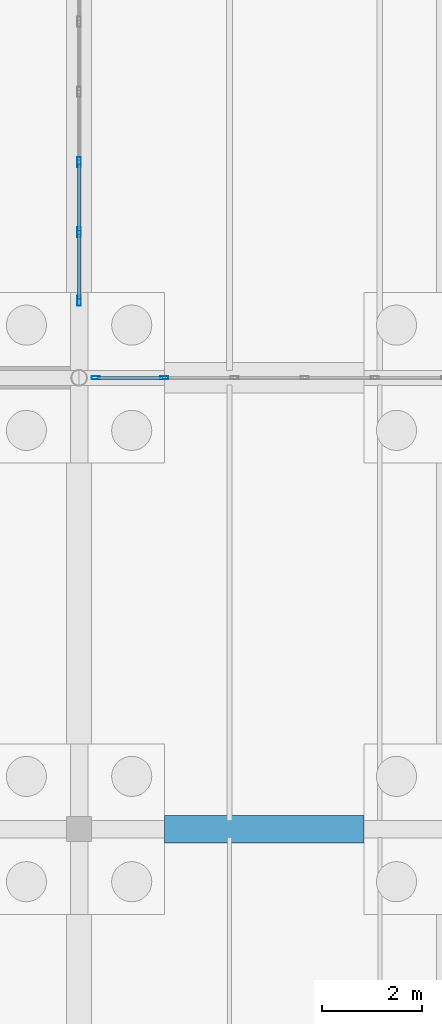
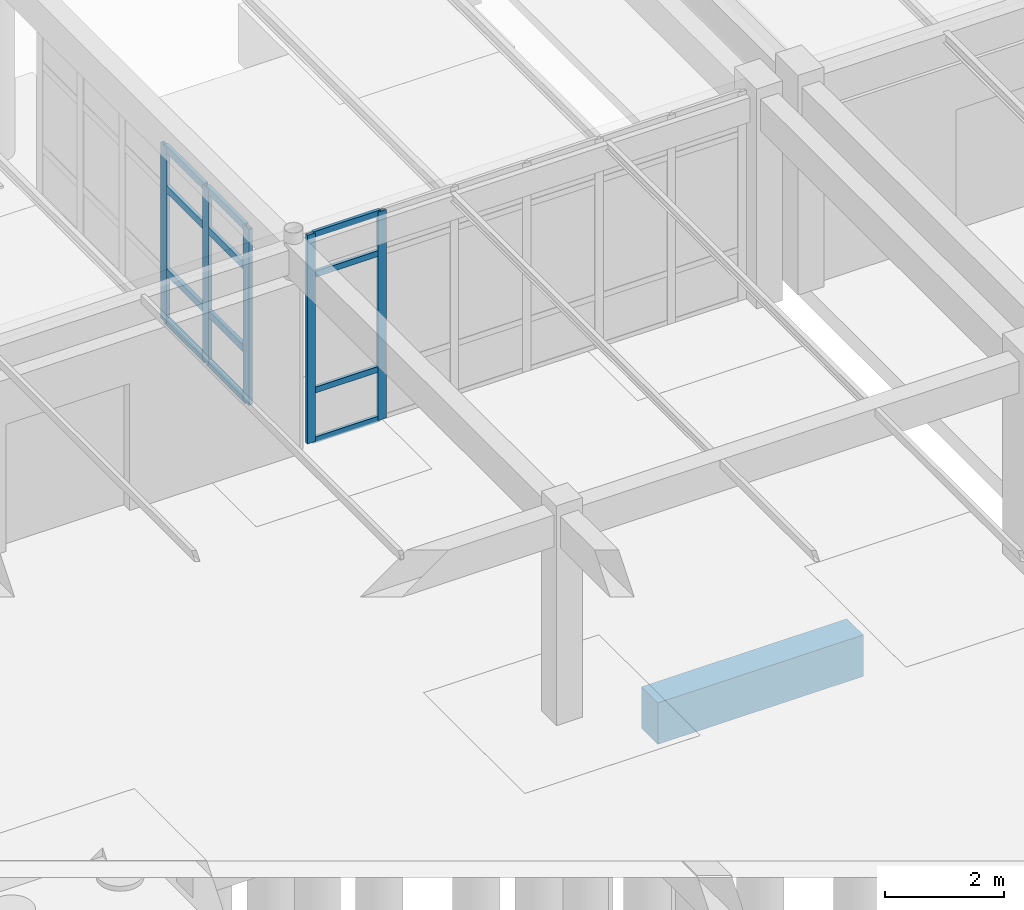
# One storey, part 73 of 186: 17 members, 1 beam, 2 elements without a shape of their own.
"""IFC4 building model written with IfcOpenShell, lengths in metres."""

from ifc_helpers import new_model, si_unit, direction, frame, origin, origin_2d, place, context, subcontext, project, spatial, rectangle, hollow_rectangle, extrude, material, layer, layer_set, material_profile, profile_set, type_object, element, aggregate, save


model = new_model("IFC4")

# Units and contexts
model_context = context("Model", 3, precision=1e-05, world=origin(), true_north=direction((0.0, 1.0)))
body_context = subcontext(model_context, "Body", "Model", "MODEL_VIEW")
ifc_project = project(units=[si_unit("LENGTHUNIT", "METRE"), si_unit("AREAUNIT", "SQUARE_METRE"), si_unit("VOLUMEUNIT", "CUBIC_METRE"), si_unit("PLANEANGLEUNIT", "RADIAN"), si_unit("MASSUNIT", "GRAM", prefix="KILO")], contexts=[model_context])

# Site, building, storey
site_placement = place(None, origin())
site = spatial("IfcSite", under=ifc_project, at=site_placement, CompositionType="ELEMENT")
building_placement = place(site_placement, origin())
building = spatial("IfcBuilding", under=site, at=building_placement, Name="Ornek Quay Market", CompositionType="ELEMENT")
storey_placement = place(building_placement, origin())
storey = spatial("IfcBuildingStorey", under=building, at=storey_placement, Name="L00", CompositionType="ELEMENT", Elevation=0.0)

# Beam
ifc_material_1 = material(Name="Concrete C35/45", Category="concrete")
ifc_material_profile_1 = material_profile(ifc_material_1, rectangle(XDim=0.550048828125, YDim=0.85009765625, at=origin_2d()), Name="RC 550x850", Category="concrete")
ifc_profile_set_1 = profile_set([ifc_material_profile_1], Name="Concrete C35/45")
beam_type = type_object("IfcBeamType", Name="BM-GB-550x850", PredefinedType="BEAM", material=ifc_profile_set_1)
beam_placement = place(storey_placement, frame((46.699951171875, 101.0, -0.625), z_axis=(1.0, 0.0, 0.0), x_axis=(0.0, 1.0, 0.0)))
element("IfcBeam", 1, at=beam_placement, inside=storey, type_object=beam_type, Name="Ground tie beam GB-041", PredefinedType="BEAM", context=body_context, shape_type="SweptSolid", body=[
    extrude(rectangle(XDim=0.550048828125, YDim=0.85009765625, at=origin_2d()), origin(), (0.0, 0.0, 1.0), 3.97998046875),
])

# Curtain wall, members
ifc_material_2 = material(Name="Anodised bronze aluminium and triple low-e glass", Category="aluminium")
ifc_layer_1 = layer(ifc_material_2, 0.179931640625, Name="Anodised bronze aluminium and triple low-e glass", Category="aluminium")
ifc_layer_set_1 = layer_set([ifc_layer_1], Name="Anodised bronze aluminium and triple low-e glass")
curtain_wall_type_1 = type_object("IfcCurtainWallType", Name="CW-CONC-MOD1500", PredefinedType="USERDEFINED", material=ifc_layer_set_1)
curtain_wall_1_placement = place(storey_placement, origin())
curtain_wall_1 = element("IfcCurtainWall", 2, at=curtain_wall_1_placement, inside=storey, type_object=curtain_wall_type_1, Name="Curtain wall CW-009", ObjectType="CURTAIN WALL", PredefinedType="USERDEFINED")
ifc_material_3 = material(Name="Anodised aluminium 6063-T6", Category="aluminium")
ifc_material_profile_2 = material_profile(ifc_material_3, hollow_rectangle(XDim=0.06005859375, YDim=0.159912109375, WallThickness=0.00390625, at=origin_2d()), Name="CW-MUL-60x160", Category="aluminium")
ifc_profile_set_2 = profile_set([ifc_material_profile_2], Name="Anodised aluminium 6063-T6")
member_type_1 = type_object("IfcMemberType", Name="CW-MUL-60x160", PredefinedType="MULLION", material=ifc_profile_set_2)
member_1_placement = place(storey_placement, frame((45.330078125, 110.0, 0.0), z_axis=(0.0, 0.0, 1.0), x_axis=(0.0, 1.0, 0.0)))
member_1 = element("IfcMember", 3, at=member_1_placement, type_object=member_type_1, Name="CW-009 mullion 1", PredefinedType="MULLION", context=body_context, shape_type="SweptSolid", body=[
    extrude(hollow_rectangle(XDim=0.06005859375, YDim=0.159912109375, WallThickness=0.00390625, at=origin_2d()), origin(), (0.0, 0.0, 1.0), 4.27001953125),
])
member_2_placement = place(storey_placement, frame((46.699951171875, 110.0, 0.0), z_axis=(0.0, 0.0, 1.0), x_axis=(0.0, 1.0, 0.0)))
member_2 = element("IfcMember", 4, at=member_2_placement, type_object=member_type_1, Name="CW-009 mullion 2", PredefinedType="MULLION", context=body_context, shape_type="SweptSolid", body=[
    extrude(hollow_rectangle(XDim=0.06005859375, YDim=0.159912109375, WallThickness=0.00390625, at=origin_2d()), origin(), (0.0, 0.0, 1.0), 4.27001953125),
])

ifc_layer_2 = layer(ifc_material_2, 0.219970703125, Name="Anodised bronze aluminium and triple low-e glass", Category="aluminium")
ifc_layer_set_2 = layer_set([ifc_layer_2], Name="Anodised bronze aluminium and triple low-e glass")
curtain_wall_type_2 = type_object("IfcCurtainWallType", Name="CW-PORCH-MOD1500", PredefinedType="USERDEFINED", material=ifc_layer_set_2)
curtain_wall_2_placement = place(storey_placement, origin())
curtain_wall_2 = element("IfcCurtainWall", 5, at=curtain_wall_2_placement, inside=storey, type_object=curtain_wall_type_2, Name="Curtain wall CW-150", ObjectType="CURTAIN WALL", PredefinedType="USERDEFINED")
ifc_material_profile_3 = material_profile(ifc_material_3, hollow_rectangle(XDim=0.070068359375, YDim=0.199951171875, WallThickness=0.0048828125, at=origin_2d()), Name="CW-MUL-70x200", Category="aluminium")
ifc_profile_set_3 = profile_set([ifc_material_profile_3], Name="Anodised aluminium 6063-T6")
member_type_2 = type_object("IfcMemberType", Name="CW-MUL-70x200", PredefinedType="MULLION", material=ifc_profile_set_3)
member_3_placement = place(storey_placement, frame((45.0, 111.534912109375, 0.0), z_axis=(0.0, 0.0, 1.0), x_axis=(-1.0, 0.0, 0.0)))
member_3 = element("IfcMember", 6, at=member_3_placement, type_object=member_type_2, Name="CW-150 mullion 1", PredefinedType="MULLION", context=body_context, shape_type="SweptSolid", body=[
    extrude(hollow_rectangle(XDim=0.070068359375, YDim=0.199951171875, WallThickness=0.0048828125, at=origin_2d()), origin(), (0.0, 0.0, 1.0), 3.60009765625),
])
member_4_placement = place(storey_placement, frame((45.0, 112.89990234375, 0.0), z_axis=(0.0, 0.0, 1.0), x_axis=(-1.0, 0.0, 0.0)))
member_4 = element("IfcMember", 7, at=member_4_placement, type_object=member_type_2, Name="CW-150 mullion 2", PredefinedType="MULLION", context=body_context, shape_type="SweptSolid", body=[
    extrude(hollow_rectangle(XDim=0.070068359375, YDim=0.199951171875, WallThickness=0.0048828125, at=origin_2d()), origin(), (0.0, 0.0, 1.0), 3.60009765625),
])
member_5_placement = place(storey_placement, frame((45.0, 114.300048828125, 0.0), z_axis=(0.0, 0.0, 1.0), x_axis=(-1.0, 0.0, 0.0)))
member_5 = element("IfcMember", 8, at=member_5_placement, type_object=member_type_2, Name="CW-150 mullion 3", PredefinedType="MULLION", context=body_context, shape_type="SweptSolid", body=[
    extrude(hollow_rectangle(XDim=0.070068359375, YDim=0.199951171875, WallThickness=0.0048828125, at=origin_2d()), origin(), (0.0, 0.0, 1.0), 3.60009765625),
])

# Member
ifc_material_profile_4 = material_profile(ifc_material_3, hollow_rectangle(XDim=0.06005859375, YDim=0.1201171875, WallThickness=0.00390625, at=origin_2d()), Name="CW-TRN-60x120", Category="aluminium")
ifc_profile_set_4 = profile_set([ifc_material_profile_4], Name="Anodised aluminium 6063-T6")
member_type_3 = type_object("IfcMemberType", Name="CW-TRN-60x120", PredefinedType="USERDEFINED", material=ifc_profile_set_4)
member_6_placement = place(storey_placement, frame((45.360107421875, 110.0, 0.030029296875), z_axis=(1.0, 0.0, 0.0), x_axis=(0.0, 1.0, 0.0)))
member_6 = element("IfcMember", 9, at=member_6_placement, type_object=member_type_3, Name="CW-009 transom 1.1", ObjectType="TRANSOM", PredefinedType="USERDEFINED", context=body_context, shape_type="SweptSolid", body=[
    extrude(hollow_rectangle(XDim=0.06005859375, YDim=0.1201171875, WallThickness=0.00390625, at=origin_2d()), origin(), (0.0, 0.0, 1.0), 1.309814453125),
])

member_7_placement = place(storey_placement, frame((45.360107421875, 110.0, 1.050048828125), z_axis=(1.0, 0.0, 0.0), x_axis=(0.0, 1.0, 0.0)))
member_7 = element("IfcMember", 10, at=member_7_placement, type_object=member_type_3, Name="CW-009 transom 1.2", ObjectType="TRANSOM", PredefinedType="USERDEFINED", context=body_context, shape_type="SweptSolid", body=[
    extrude(hollow_rectangle(XDim=0.06005859375, YDim=0.1201171875, WallThickness=0.00390625, at=origin_2d()), origin(), (0.0, 0.0, 1.0), 1.309814453125),
])

member_8_placement = place(storey_placement, frame((45.360107421875, 110.0, 3.419921875), z_axis=(1.0, 0.0, 0.0), x_axis=(0.0, 1.0, 0.0)))
member_8 = element("IfcMember", 11, at=member_8_placement, type_object=member_type_3, Name="CW-009 transom 1.3", ObjectType="TRANSOM", PredefinedType="USERDEFINED", context=body_context, shape_type="SweptSolid", body=[
    extrude(hollow_rectangle(XDim=0.06005859375, YDim=0.1201171875, WallThickness=0.00390625, at=origin_2d()), origin(), (0.0, 0.0, 1.0), 1.309814453125),
])

member_9_placement = place(storey_placement, frame((45.360107421875, 110.0, 4.239990234375), z_axis=(1.0, 0.0, 0.0), x_axis=(0.0, 1.0, 0.0)))
member_9 = element("IfcMember", 12, at=member_9_placement, type_object=member_type_3, Name="CW-009 transom 1.4", ObjectType="TRANSOM", PredefinedType="USERDEFINED", context=body_context, shape_type="SweptSolid", body=[
    extrude(hollow_rectangle(XDim=0.06005859375, YDim=0.1201171875, WallThickness=0.00390625, at=origin_2d()), origin(), (0.0, 0.0, 1.0), 1.309814453125),
])

aggregate(curtain_wall_1, [member_1, member_2, member_6, member_7, member_8, member_9])

ifc_material_profile_5 = material_profile(ifc_material_3, hollow_rectangle(XDim=0.070068359375, YDim=0.14990234375, WallThickness=0.0048828125, at=origin_2d()), Name="CW-TRN-70x150", Category="aluminium")
ifc_profile_set_5 = profile_set([ifc_material_profile_5], Name="Anodised aluminium 6063-T6")
member_type_4 = type_object("IfcMemberType", Name="CW-TRN-70x150", PredefinedType="USERDEFINED", material=ifc_profile_set_5)
member_10_placement = place(storey_placement, frame((45.0, 111.570068359375, 0.034912109375), z_axis=(0.0, 1.0, 0.0), x_axis=(-1.0, 0.0, 0.0)))
member_10 = element("IfcMember", 13, at=member_10_placement, type_object=member_type_4, Name="CW-150 transom 1.1", ObjectType="TRANSOM", PredefinedType="USERDEFINED", context=body_context, shape_type="SweptSolid", body=[
    extrude(hollow_rectangle(XDim=0.070068359375, YDim=0.14990234375, WallThickness=0.0048828125, at=origin_2d()), origin(), (0.0, 0.0, 1.0), 1.294921875),
])

member_11_placement = place(storey_placement, frame((45.0, 111.570068359375, 1.050048828125), z_axis=(0.0, 1.0, 0.0), x_axis=(-1.0, 0.0, 0.0)))
member_11 = element("IfcMember", 14, at=member_11_placement, type_object=member_type_4, Name="CW-150 transom 1.2", ObjectType="TRANSOM", PredefinedType="USERDEFINED", context=body_context, shape_type="SweptSolid", body=[
    extrude(hollow_rectangle(XDim=0.070068359375, YDim=0.14990234375, WallThickness=0.0048828125, at=origin_2d()), origin(), (0.0, 0.0, 1.0), 1.294921875),
])

member_12_placement = place(storey_placement, frame((45.0, 111.570068359375, 2.75), z_axis=(0.0, 1.0, 0.0), x_axis=(-1.0, 0.0, 0.0)))
member_12 = element("IfcMember", 15, at=member_12_placement, type_object=member_type_4, Name="CW-150 transom 1.3", ObjectType="TRANSOM", PredefinedType="USERDEFINED", context=body_context, shape_type="SweptSolid", body=[
    extrude(hollow_rectangle(XDim=0.070068359375, YDim=0.14990234375, WallThickness=0.0048828125, at=origin_2d()), origin(), (0.0, 0.0, 1.0), 1.294921875),
])

member_13_placement = place(storey_placement, frame((45.0, 111.570068359375, 3.56494140625), z_axis=(0.0, 1.0, 0.0), x_axis=(-1.0, 0.0, 0.0)))
member_13 = element("IfcMember", 16, at=member_13_placement, type_object=member_type_4, Name="CW-150 transom 1.4", ObjectType="TRANSOM", PredefinedType="USERDEFINED", context=body_context, shape_type="SweptSolid", body=[
    extrude(hollow_rectangle(XDim=0.070068359375, YDim=0.14990234375, WallThickness=0.0048828125, at=origin_2d()), origin(), (0.0, 0.0, 1.0), 1.294921875),
])

member_14_placement = place(storey_placement, frame((45.0, 112.93505859375, 0.034912109375), z_axis=(0.0, 1.0, 0.0), x_axis=(-1.0, 0.0, 0.0)))
member_14 = element("IfcMember", 17, at=member_14_placement, type_object=member_type_4, Name="CW-150 transom 2.1", ObjectType="TRANSOM", PredefinedType="USERDEFINED", context=body_context, shape_type="SweptSolid", body=[
    extrude(hollow_rectangle(XDim=0.070068359375, YDim=0.14990234375, WallThickness=0.0048828125, at=origin_2d()), origin(), (0.0, 0.0, 1.0), 1.329833984375),
])

member_15_placement = place(storey_placement, frame((45.0, 112.93505859375, 1.050048828125), z_axis=(0.0, 1.0, 0.0), x_axis=(-1.0, 0.0, 0.0)))
member_15 = element("IfcMember", 18, at=member_15_placement, type_object=member_type_4, Name="CW-150 transom 2.2", ObjectType="TRANSOM", PredefinedType="USERDEFINED", context=body_context, shape_type="SweptSolid", body=[
    extrude(hollow_rectangle(XDim=0.070068359375, YDim=0.14990234375, WallThickness=0.0048828125, at=origin_2d()), origin(), (0.0, 0.0, 1.0), 1.329833984375),
])

member_16_placement = place(storey_placement, frame((45.0, 112.93505859375, 2.75), z_axis=(0.0, 1.0, 0.0), x_axis=(-1.0, 0.0, 0.0)))
member_16 = element("IfcMember", 19, at=member_16_placement, type_object=member_type_4, Name="CW-150 transom 2.3", ObjectType="TRANSOM", PredefinedType="USERDEFINED", context=body_context, shape_type="SweptSolid", body=[
    extrude(hollow_rectangle(XDim=0.070068359375, YDim=0.14990234375, WallThickness=0.0048828125, at=origin_2d()), origin(), (0.0, 0.0, 1.0), 1.329833984375),
])

member_17_placement = place(storey_placement, frame((45.0, 112.93505859375, 3.56494140625), z_axis=(0.0, 1.0, 0.0), x_axis=(-1.0, 0.0, 0.0)))
member_17 = element("IfcMember", 20, at=member_17_placement, type_object=member_type_4, Name="CW-150 transom 2.4", ObjectType="TRANSOM", PredefinedType="USERDEFINED", context=body_context, shape_type="SweptSolid", body=[
    extrude(hollow_rectangle(XDim=0.070068359375, YDim=0.14990234375, WallThickness=0.0048828125, at=origin_2d()), origin(), (0.0, 0.0, 1.0), 1.329833984375),
])

aggregate(curtain_wall_2, [member_3, member_4, member_5, member_10, member_11, member_12, member_13, member_14, member_15, member_16, member_17])

save(model, "model.ifc")
